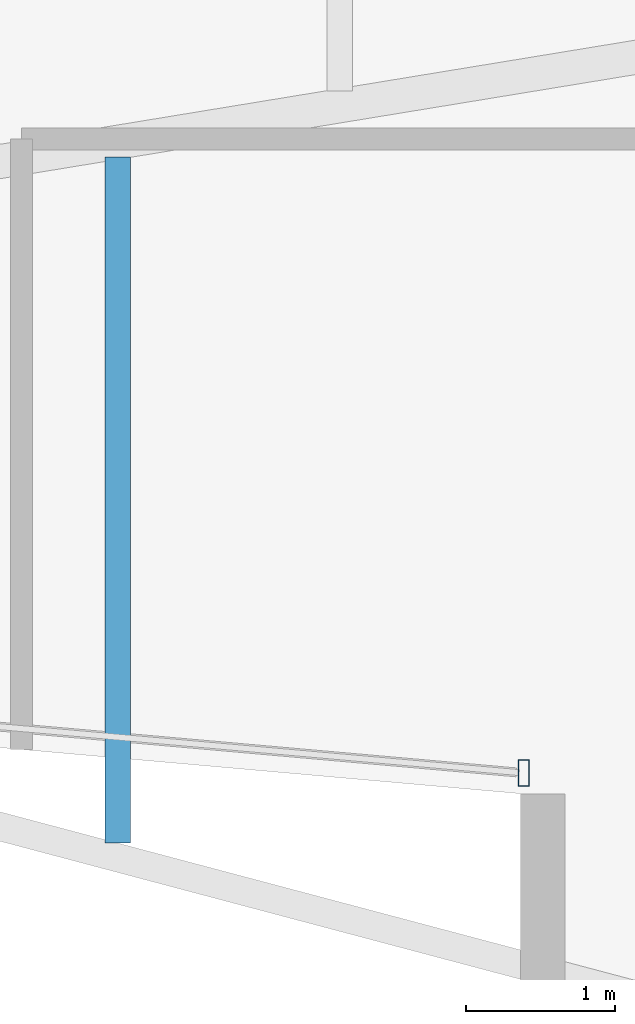
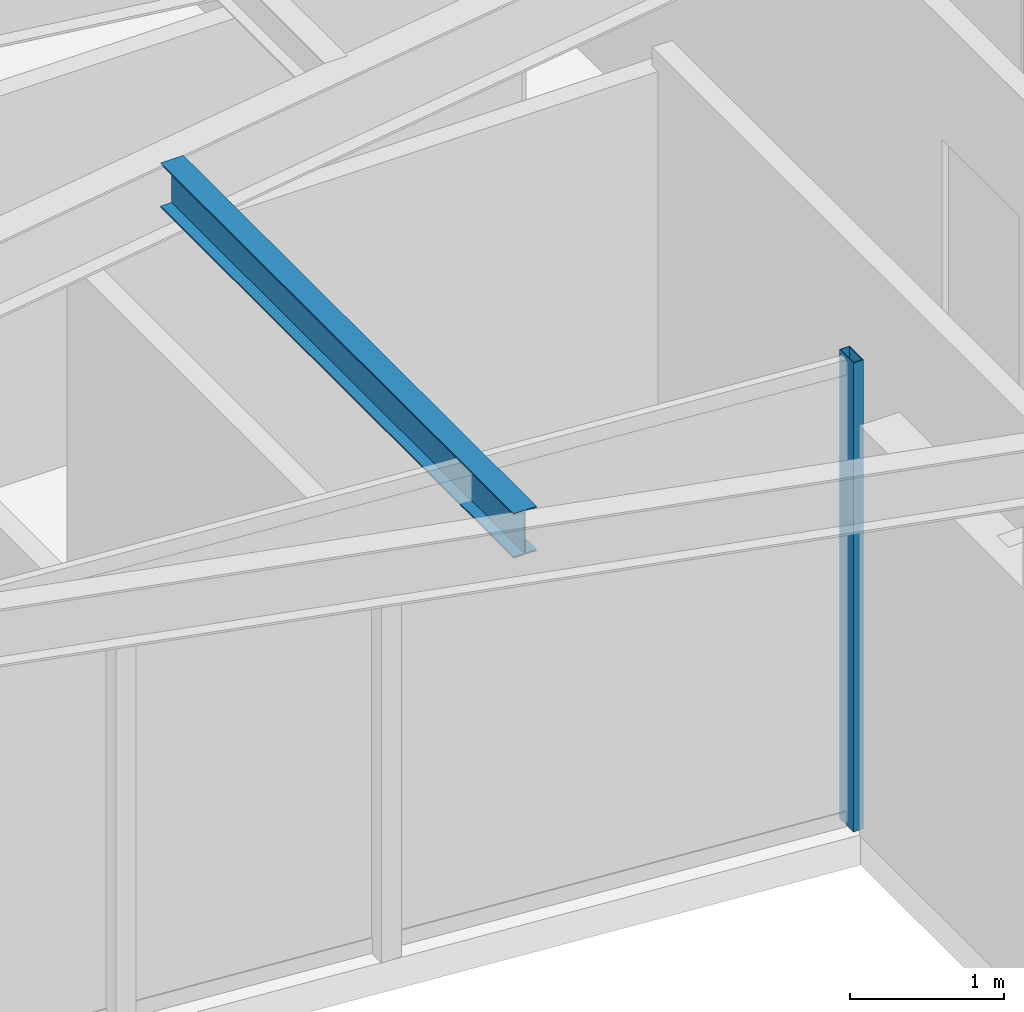
# One storey, part 4 of 23: 1 beam, 1 member, 1 element without a shape of its own.
"""IFC4 building model written with IfcOpenShell, lengths in metres."""

from ifc_helpers import new_model, si_unit, direction, frame, origin, origin_2d, place, context, subcontext, project, spatial, hollow_rectangle, i_section, extrude, material, layer, layer_set, material_profile, profile_set, type_object, element, aggregate, save


model = new_model("IFC4")

# Units and contexts
model_context = context("Model", 3, precision=1e-05, world=origin(), true_north=direction((0.0, 1.0)))
body_context = subcontext(model_context, "Body", "Model", "MODEL_VIEW")
ifc_project = project(units=[si_unit("LENGTHUNIT", "METRE"), si_unit("AREAUNIT", "SQUARE_METRE"), si_unit("VOLUMEUNIT", "CUBIC_METRE"), si_unit("PLANEANGLEUNIT", "RADIAN"), si_unit("MASSUNIT", "GRAM", prefix="KILO")], contexts=[model_context])

# Site, building, storey
site_placement = place(None, origin())
site = spatial("IfcSite", under=ifc_project, at=site_placement, CompositionType="ELEMENT")
building_placement = place(site_placement, origin())
building = spatial("IfcBuilding", under=site, at=building_placement, Name="Veymaron Broadcast Tower", CompositionType="ELEMENT")
storey_placement = place(building_placement, frame((0.0, 0.0, 177.60009765625)))
storey = spatial("IfcBuildingStorey", under=building, at=storey_placement, Name="L41", CompositionType="ELEMENT", Elevation=177.60009765625)

# Beam
ifc_material_1 = material(Name="Structural steel ASTM A992 Gr 50", Category="steel")
ifc_material_profile_1 = material_profile(ifc_material_1, i_section(OverallWidth=0.1708984375, OverallDepth=0.35498046875, WebThickness=0.007080078125, FlangeThickness=0.01171875, at=origin_2d()), Name="W360X51")
ifc_profile_set_1 = profile_set([ifc_material_profile_1], Name="Structural steel ASTM A992 Gr 50")
beam_type = type_object("IfcBeamType", Name="BM-JS2", PredefinedType="JOIST", material=ifc_profile_set_1)
beam_placement = place(storey_placement, frame((23.744384765625, 18.077880859375, 3.552490234375), z_axis=(0.0, 1.0, 0.0), x_axis=(-1.0, 0.0, 0.0)))
element("IfcBeam", 1, at=beam_placement, inside=storey, type_object=beam_type, Name="L41 Arm-A secondary joist 2S", PredefinedType="JOIST", context=body_context, shape_type="SweptSolid", body=[
    extrude(i_section(OverallWidth=0.1708984375, OverallDepth=0.35498046875, WebThickness=0.007080078125, FlangeThickness=0.01171875, at=origin_2d()), origin(), (0.0, 0.0, 1.0), 4.60009765625),
])

# Curtain wall, member
ifc_material_2 = material(Name="Anodised aluminium AA 6063-T6 and laminated low-E dark glass", Category="aluminium")
ifc_layer = layer(ifc_material_2, 0.179931640625)
ifc_layer_set = layer_set([ifc_layer], Name="Anodised aluminium AA 6063-T6 and laminated low-E dark glass")
curtain_wall_type = type_object("IfcCurtainWallType", Name="CW-SYS-03", PredefinedType="NOTDEFINED", material=ifc_layer_set)
curtain_wall_placement = place(storey_placement, origin())
curtain_wall = element("IfcCurtainWall", 2, at=curtain_wall_placement, inside=storey, type_object=curtain_wall_type, Name="L41 dark-glass curtain wall CW-L41-E14-1", PredefinedType="NOTDEFINED")
ifc_material_3 = material(Name="Anodised aluminium AA 6063-T6", Category="aluminium")
ifc_material_profile_2 = material_profile(ifc_material_3, hollow_rectangle(XDim=0.074951171875, YDim=0.179931640625, WallThickness=0.0048828125, at=origin_2d()), Name="AL180X75X5")
ifc_profile_set_2 = profile_set([ifc_material_profile_2], Name="Anodised aluminium AA 6063-T6")
member_type = type_object("IfcMemberType", Name="CW-MUL-02", PredefinedType="MULLION", material=ifc_profile_set_2)
member_placement = place(storey_placement, frame((26.46826171875, 18.54638671875, 0.0), z_axis=(0.0, 0.0, 1.0), x_axis=(1.0, 0.0, 0.0)))
member = element("IfcMember", 3, at=member_placement, type_object=member_type, Name="CW-L41-E14-1 mullion 2", PredefinedType="MULLION", context=body_context, shape_type="SweptSolid", body=[
    extrude(hollow_rectangle(XDim=0.074951171875, YDim=0.179931640625, WallThickness=0.0048828125, at=origin_2d()), origin(), (0.0, 0.0, 1.0), 3.72998046875),
])
aggregate(curtain_wall, [member])

save(model, "model.ifc")
